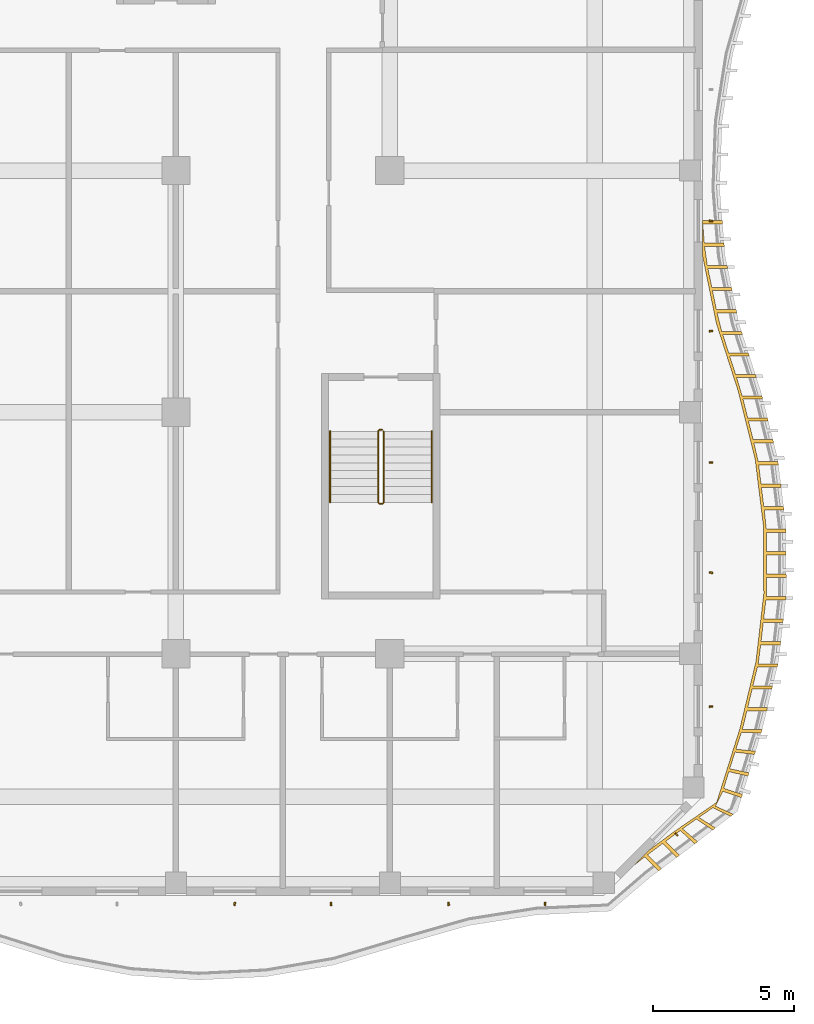
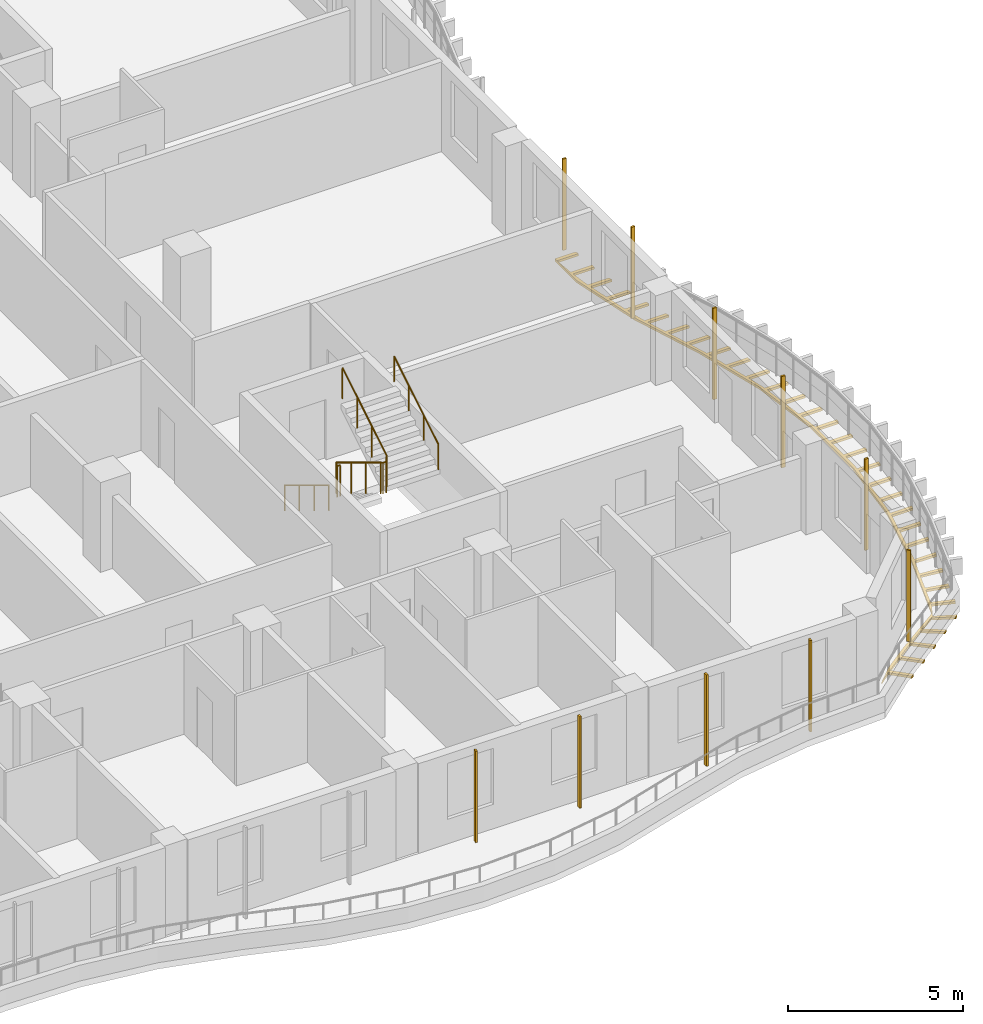
# One storey, part 17 of 21: 11 shading devices, 3 railings.
"""IFC4 building model written with IfcOpenShell, lengths in metres."""

from ifc_helpers import new_model, si_unit, direction, frame, origin, origin_2d, place, context, subcontext, project, spatial, polyline, rectangle, circle, outline, extrude, source, transform, mapped, material, layer, layer_set, material_profile, profile_set, type_object, element, save


model = new_model("IFC4")

# Units and contexts
model_context = context("Model", 3, precision=1e-05, world=origin(), true_north=direction((0.0, 1.0)))
body_context = subcontext(model_context, "Body", "Model", "MODEL_VIEW")
ifc_project = project(units=[si_unit("LENGTHUNIT", "METRE"), si_unit("AREAUNIT", "SQUARE_METRE"), si_unit("VOLUMEUNIT", "CUBIC_METRE"), si_unit("PLANEANGLEUNIT", "RADIAN"), si_unit("MASSUNIT", "GRAM", prefix="KILO")], contexts=[model_context])

# Site, building, storey
site_placement = place(None, origin())
site = spatial("IfcSite", under=ifc_project, at=site_placement, CompositionType="ELEMENT")
building_placement = place(site_placement, origin())
building = spatial("IfcBuilding", under=site, at=building_placement, Name="Kilnfold Tower and Market Hall", CompositionType="ELEMENT")
storey_placement = place(building_placement, frame((0.0, 0.0, 216.89990234375)))
storey = spatial("IfcBuildingStorey", under=building, at=storey_placement, Name="L53", CompositionType="ELEMENT", Elevation=216.89990234375)

# Railings
ifc_material_1 = material(Name="Stainless steel 316", Category="steel")
railing_type_1 = type_object("IfcRailingType", Name="CORE STAIR GUARD 1100", PredefinedType="GUARDRAIL", material=ifc_material_1)
railing_1_placement = place(storey_placement, frame((19.89990234375, -9.75, 0.0)))
element("IfcRailing", 1, at=railing_1_placement, inside=storey, type_object=railing_type_1, Name="L53 ST4 stair guard 1", PredefinedType="GUARDRAIL", context=body_context, shape_type="SweptSolid", body=[
    extrude(circle(Radius=0.02392578125, at=origin_2d()), frame((0.0, 0.0, 1.076171875), z_axis=(-1.0, 0.0, 0.0), x_axis=(0.0, -1.0, 0.0)), (0.0, 0.0, 1.0), 0.099853515625),
    extrude(circle(Radius=0.02392578125, at=origin_2d()), frame((-0.099853515625, 0.0, 1.076171875), z_axis=(-0.271562723297, -0.271562723297, 0.923313259209), x_axis=(0.707106781187, -0.707106781187, 0.0)), (0.0, 0.0, 1.0), 0.184326171875),
    extrude(circle(Radius=0.02392578125, at=origin_2d()), frame((-0.14990234375, -0.050048828125, 1.24609375), z_axis=(0.0, -0.85478489116, 0.518982456201), x_axis=(1.0, 0.0, 0.0)), (0.0, 0.0, 1.0), 2.9482421875),
    extrude(circle(Radius=0.02392578125, at=origin_2d()), frame((-0.14990234375, -2.570068359375, 2.7763671875), z_axis=(0.707106781187, -0.707106781187, 0.0), x_axis=(0.707106781187, 0.707106781187, 0.0)), (0.0, 0.0, 1.0), 0.07080078125),
    extrude(circle(Radius=0.02392578125, at=origin_2d()), frame((-0.099853515625, -2.6201171875, 2.7763671875), z_axis=(1.0, 0.0, 0.0), x_axis=(0.0, 1.0, 0.0)), (0.0, 0.0, 1.0), 0.099853515625),
    extrude(circle(Radius=0.02392578125, at=origin_2d()), frame((0.0, -2.6201171875, 2.7763671875), z_axis=(0.271895245746, 0.271895245746, 0.923117517265), x_axis=(-0.707106781187, 0.707106781187, 0.0)), (0.0, 0.0, 1.0), 0.18408203125),
    extrude(circle(Radius=0.02392578125, at=origin_2d()), frame((0.050048828125, -2.570068359375, 2.9462890625), z_axis=(0.0, 0.85478489116, 0.518982456201), x_axis=(-1.0, 0.0, 0.0)), (0.0, 0.0, 1.0), 2.9482421875),
    extrude(circle(Radius=0.02099609375, at=origin_2d()), origin(), (0.0, 0.0, 1.0), 1.052001953125),
    extrude(circle(Radius=0.02099609375, at=origin_2d()), frame((-0.099853515625, 0.0, 0.0)), (0.0, 0.0, 1.0), 1.052001953125),
    extrude(circle(Radius=0.02099609375, at=origin_2d()), frame((-0.14990234375, -0.050048828125, 0.170166015625)), (0.0, 0.0, 1.0), 1.052001953125),
    extrude(circle(Radius=0.02099609375, at=origin_2d()), frame((-0.14990234375, -0.89013671875, 0.68017578125)), (0.0, 0.0, 1.0), 1.052001953125),
    extrude(circle(Radius=0.02099609375, at=origin_2d()), frame((-0.14990234375, -1.72998046875, 1.190185546875)), (0.0, 0.0, 1.0), 1.052001953125),
    extrude(circle(Radius=0.02099609375, at=origin_2d()), frame((-0.14990234375, -2.570068359375, 1.7001953125)), (0.0, 0.0, 1.0), 1.052001953125),
    extrude(circle(Radius=0.02099609375, at=origin_2d()), frame((-0.099853515625, -2.6201171875, 1.7001953125)), (0.0, 0.0, 1.0), 1.052001953125),
    extrude(circle(Radius=0.02099609375, at=origin_2d()), frame((0.0, -2.6201171875, 1.7001953125)), (0.0, 0.0, 1.0), 1.052001953125),
    extrude(circle(Radius=0.02099609375, at=origin_2d()), frame((0.050048828125, -2.570068359375, 1.8701171875)), (0.0, 0.0, 1.0), 1.052001953125),
    extrude(circle(Radius=0.02099609375, at=origin_2d()), frame((0.050048828125, -1.72998046875, 2.380126953125)), (0.0, 0.0, 1.0), 1.052001953125),
    extrude(circle(Radius=0.02099609375, at=origin_2d()), frame((0.050048828125, -0.89013671875, 2.89013671875)), (0.0, 0.0, 1.0), 1.052001953125),
    extrude(circle(Radius=0.02099609375, at=origin_2d()), frame((0.050048828125, -0.050048828125, 3.400146484375)), (0.0, 0.0, 1.0), 1.052001953125),
])
ifc_material_2 = material(Name="Stainless steel 316", Category="steel")
railing_type_2 = type_object("IfcRailingType", Name="CORE STAIR HANDRAIL 900", PredefinedType="HANDRAIL", material=ifc_material_2)
railing_2_placement = place(storey_placement, frame((18.050048828125, -9.800048828125, 0.170166015625)))
element("IfcRailing", 2, at=railing_2_placement, inside=storey, type_object=railing_type_2, Name="L53 ST4 stair handrail 1", PredefinedType="HANDRAIL", context=body_context, shape_type="SweptSolid", body=[
    extrude(circle(Radius=0.02392578125, at=origin_2d()), frame((0.0, 0.0, 0.8759765625), z_axis=(0.0, -0.85478489116, 0.518982456201), x_axis=(1.0, 0.0, 0.0)), (0.0, 0.0, 1.0), 2.9482421875),
    extrude(circle(Radius=0.02099609375, at=origin_2d()), origin(), (0.0, 0.0, 1.0), 0.851806640625),
    extrude(circle(Radius=0.02099609375, at=origin_2d()), frame((0.0, -0.840087890625, 0.510009765625)), (0.0, 0.0, 1.0), 0.851806640625),
    extrude(circle(Radius=0.02099609375, at=origin_2d()), frame((0.0, -1.679931640625, 1.02001953125)), (0.0, 0.0, 1.0), 0.851806640625),
    extrude(circle(Radius=0.02099609375, at=origin_2d()), frame((0.0, -2.52001953125, 1.530029296875)), (0.0, 0.0, 1.0), 0.851806640625),
])
railing_3_placement = place(storey_placement, frame((21.64990234375, -12.320068359375, 1.8701171875)))
element("IfcRailing", 3, at=railing_3_placement, inside=storey, type_object=railing_type_2, Name="L53 ST4 stair handrail 2", PredefinedType="HANDRAIL", context=body_context, shape_type="SweptSolid", body=[
    extrude(circle(Radius=0.02392578125, at=origin_2d()), frame((0.0, 0.0, 0.8759765625), z_axis=(0.0, 0.85478489116, 0.518982456201), x_axis=(-1.0, 0.0, 0.0)), (0.0, 0.0, 1.0), 2.9482421875),
    extrude(circle(Radius=0.02099609375, at=origin_2d()), origin(), (0.0, 0.0, 1.0), 0.851806640625),
    extrude(circle(Radius=0.02099609375, at=origin_2d()), frame((0.0, 0.840087890625, 0.510009765625)), (0.0, 0.0, 1.0), 0.851806640625),
    extrude(circle(Radius=0.02099609375, at=origin_2d()), frame((0.0, 1.679931640625, 1.02001953125)), (0.0, 0.0, 1.0), 0.851806640625),
    extrude(circle(Radius=0.02099609375, at=origin_2d()), frame((0.0, 2.52001953125, 1.530029296875)), (0.0, 0.0, 1.0), 0.851806640625),
])

# Shading devices
ifc_material_3 = material(Name="Terracotta", Category="masonry")
ifc_material_profile = material_profile(ifc_material_3, rectangle(XDim=0.06005859375, YDim=0.1201171875, at=origin_2d()), Name="BAG 60x120")
ifc_profile_set = profile_set([ifc_material_profile], Name="Terracotta")
shading_device_type_1 = type_object("IfcShadingDeviceType", Name="BAGUETTE", PredefinedType="USERDEFINED", material=ifc_profile_set)
shared_shape_1 = source(origin(), body_context, "Body", "SweptSolid", [
    extrude(rectangle(XDim=0.06005859375, YDim=0.1201171875, at=origin_2d()), origin(), (0.0, 0.0, 1.0), 3.18017578125),
])
for number, where, z_axis, x_axis, name in (
    (4, (14.666748046875, -26.550048828125, 0.0), (0.0, 0.0, 1.0), (0.992548491182, -0.121850287865, 0.0), "Terracotta baguette L53 S"),
    (5, (18.083251953125, -26.550048828125, 0.0), (0.0, 0.0, 1.0), (0.998015094795, 0.06297515829, 0.0), "Terracotta baguette L53 S"),
    (6, (22.25, -26.550048828125, 0.0), (0.0, 0.0, 1.0), (0.99495539514, 0.100318301828, 0.0), "Terracotta baguette L53 S"),
    (7, (25.666748046875, -26.550048828125, 0.0), (0.0, 0.0, 1.0), (0.995667761863, -0.092982299316, 0.0), "Terracotta baguette L53 S"),
    (8, (30.329833984375, -24.094482421875, 0.0), (0.0, 0.0, 1.0), (0.704510355776, 0.709693707598, 0.0), "Terracotta baguette L53 SE"),
    (9, (31.550048828125, -19.556884765625, 0.0), (0.0, 0.0, 1.0), (-0.114417005998, 0.99343281038, 0.0), "Terracotta baguette L53 E"),
    (10, (31.550048828125, -14.8125, 0.0), (0.0, 0.0, 1.0), (0.127969963927, 0.991778043885, 0.0), "Terracotta baguette L53 E"),
    (11, (31.550048828125, -10.90625, 0.0), (0.0, 0.0, 1.0), (0.030847290941, 0.999524109085, 0.0), "Terracotta baguette L53 E"),
    (12, (31.550048828125, -6.25, 0.0), (0.0, 0.0, 1.0), (-0.133154204566, 0.99109533235, 0.0), "Terracotta baguette L53 E"),
    (13, (31.550048828125, -2.34375, 0.0), (0.0, 0.0, 1.0), (0.064232734443, 0.997934945688, 0.0), "Terracotta baguette L53 E"),
):
    element("IfcShadingDevice", number, at=place(storey_placement, frame(where, z_axis=z_axis, x_axis=x_axis)), inside=storey, type_object=shading_device_type_1, Name=name, ObjectType="BAGUETTE", PredefinedType="USERDEFINED", context=body_context, shape_type="MappedRepresentation", body=[
        mapped(shared_shape_1, transform((0.0, 0.0, 0.0))),
    ])
ifc_material_4 = material(Name="Bronze anodised aluminium", Category="aluminium")
ifc_layer = layer(ifc_material_4, 0.080078125)
ifc_layer_set = layer_set([ifc_layer], Name="Bronze anodised aluminium")
shading_device_type_2 = type_object("IfcShadingDeviceType", Name="BRONZE SLAT SOFFIT 80", PredefinedType="USERDEFINED", material=ifc_layer_set)
shared_shape_2 = source(origin(), body_context, "Body", "SweptSolid", [
    extrude(outline(polyline([(30.192138671875, -24.025390625), (31.74853515625, -22.95654296875), (32.56787109375, -20.355224609375), (33.14306640625, -17.96044921875), (33.41943359375, -15.56591796875), (33.4091796875, -13.171142578125), (33.11181640625, -10.7763671875), (32.513916015625, -8.381591796875), (31.7421875, -5.98681640625), (31.25146484375, -3.592041015625), (31.25, -2.327880859375), (31.94775390625, -2.327880859375), (31.95751953125, -2.447509765625), (31.257568359375, -2.447509765625), (31.313232421875, -3.125244140625), (32.01318359375, -3.125244140625), (32.02294921875, -3.244873046875), (31.322998046875, -3.244873046875), (31.418212890625, -3.9169921875), (32.1181640625, -3.9169921875), (32.14208984375, -4.034423828125), (31.442138671875, -4.034423828125), (31.57861328125, -4.70068359375), (32.27880859375, -4.70068359375), (32.302734375, -4.818359375), (31.602783203125, -4.818359375), (31.7392578125, -5.484375), (32.439208984375, -5.484375), (32.46337890625, -5.60205078125), (31.76318359375, -5.60205078125), (31.930419921875, -6.260009765625), (32.63037109375, -6.260009765625), (32.6669921875, -6.374267578125), (31.967041015625, -6.374267578125), (32.17578125, -7.021484375), (32.875732421875, -7.021484375), (32.896728515625, -7.0869140625), (32.91259765625, -7.1357421875), (32.21240234375, -7.1357421875), (32.421142578125, -7.782958984375), (33.12109375, -7.782958984375), (33.157958984375, -7.897216796875), (32.4580078125, -7.897216796875), (32.655517578125, -8.547607421875), (33.35546875, -8.547607421875), (33.384521484375, -8.6640625), (32.6845703125, -8.6640625), (32.84912109375, -9.32373046875), (33.54931640625, -9.32373046875), (33.578125, -9.440185546875), (32.878173828125, -9.440185546875), (33.04296875, -10.10009765625), (33.742919921875, -10.10009765625), (33.77197265625, -10.21630859375), (33.072021484375, -10.21630859375), (33.224365234375, -10.87841796875), (33.92431640625, -10.87841796875), (33.939208984375, -10.99755859375), (33.2392578125, -10.99755859375), (33.322998046875, -11.67236328125), (34.02294921875, -11.67236328125), (34.037841796875, -11.79150390625), (33.337890625, -11.79150390625), (33.421630859375, -12.46630859375), (34.12158203125, -12.46630859375), (34.136474609375, -12.585205078125), (33.436279296875, -12.585205078125), (33.509521484375, -13.2607421875), (34.20947265625, -13.2607421875), (34.2099609375, -13.380859375), (33.510009765625, -13.380859375), (33.512939453125, -14.060791015625), (34.212890625, -14.060791015625), (34.21337890625, -14.180908203125), (33.513427734375, -14.180908203125), (33.516357421875, -14.86083984375), (34.21630859375, -14.86083984375), (34.216796875, -14.980712890625), (33.516845703125, -14.980712890625), (33.508544921875, -15.66015625), (34.20849609375, -15.66015625), (34.19482421875, -15.779296875), (33.494873046875, -15.779296875), (33.416748046875, -16.454833984375), (34.11669921875, -16.454833984375), (34.10302734375, -16.57421875), (33.403076171875, -16.57421875), (33.3251953125, -17.24951171875), (34.025146484375, -17.24951171875), (34.011474609375, -17.368896484375), (33.311279296875, -17.368896484375), (33.223388671875, -18.04248046875), (33.92333984375, -18.04248046875), (33.8955078125, -18.1591796875), (33.1953125, -18.1591796875), (33.03662109375, -18.8203125), (33.736572265625, -18.8203125), (33.70849609375, -18.93701171875), (33.008544921875, -18.93701171875), (32.849609375, -19.598388671875), (33.549560546875, -19.598388671875), (33.521484375, -19.715087890625), (32.821533203125, -19.715087890625), (32.66162109375, -20.3740234375), (33.361572265625, -20.3759765625), (33.326904296875, -20.49072265625), (32.626953125, -20.478271484375), (32.43359375, -21.068115234375), (33.1298828125, -21.1416015625), (33.094970703125, -21.25634765625), (32.400146484375, -21.172119140625), (32.21337890625, -21.761474609375), (32.89794921875, -21.9072265625), (32.86328125, -22.022216796875), (32.180908203125, -21.865478515625), (32.00048828125, -22.456787109375), (32.666015625, -22.6728515625), (32.63134765625, -22.78759765625), (31.968994140625, -22.561279296875), (31.7041015625, -23.0859375), (32.341796875, -23.37451171875), (32.24658203125, -23.44775390625), (31.615234375, -23.1455078125), (31.117919921875, -23.484375), (31.707275390625, -23.86181640625), (31.6123046875, -23.93505859375), (31.031005859375, -23.544677734375), (30.544189453125, -23.890380859375), (31.072998046875, -24.34912109375), (30.977783203125, -24.42236328125), (30.458984375, -23.9521484375), (29.939697265625, -24.33642578125), (30.4345703125, -24.831298828125), (30.33837890625, -24.903076171875), (29.84326171875, -24.407958984375), (29.297607421875, -24.813720703125), (29.79248046875, -25.30859375), (29.6962890625, -25.38037109375), (29.201171875, -24.88525390625), (28.798828125, -25.201171875), (29.344482421875, -24.655517578125), (30.192138671875, -24.025390625)])), origin(), (0.0, 0.0, 1.0), 0.079833984375),
])
shading_device_placement = place(storey_placement, frame((0.0, 0.0, -0.2998046875)))
element("IfcShadingDevice", 14, at=shading_device_placement, inside=storey, type_object=shading_device_type_2, Name="Balcony soffit slats L53", ObjectType="SLAT", PredefinedType="USERDEFINED", context=body_context, shape_type="MappedRepresentation", body=[
    mapped(shared_shape_2, transform((0.0, 0.0, 0.0))),
])

save(model, "model.ifc")
